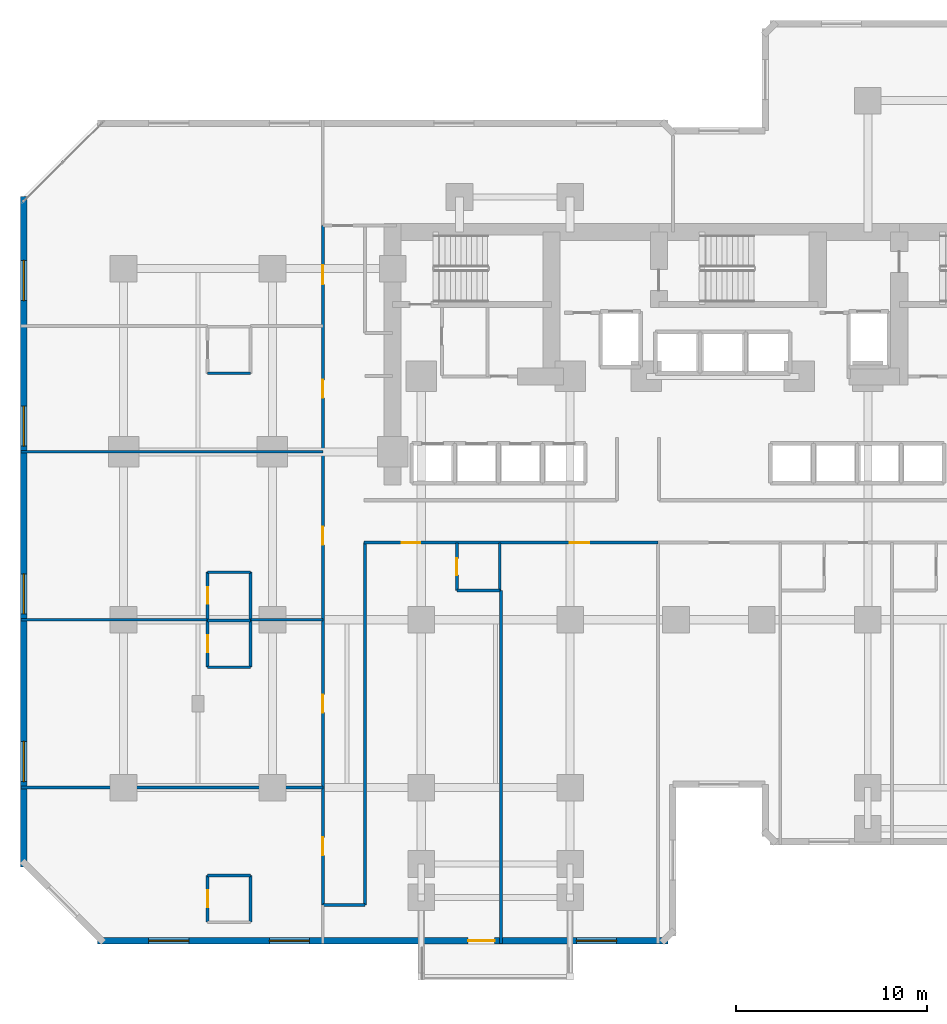
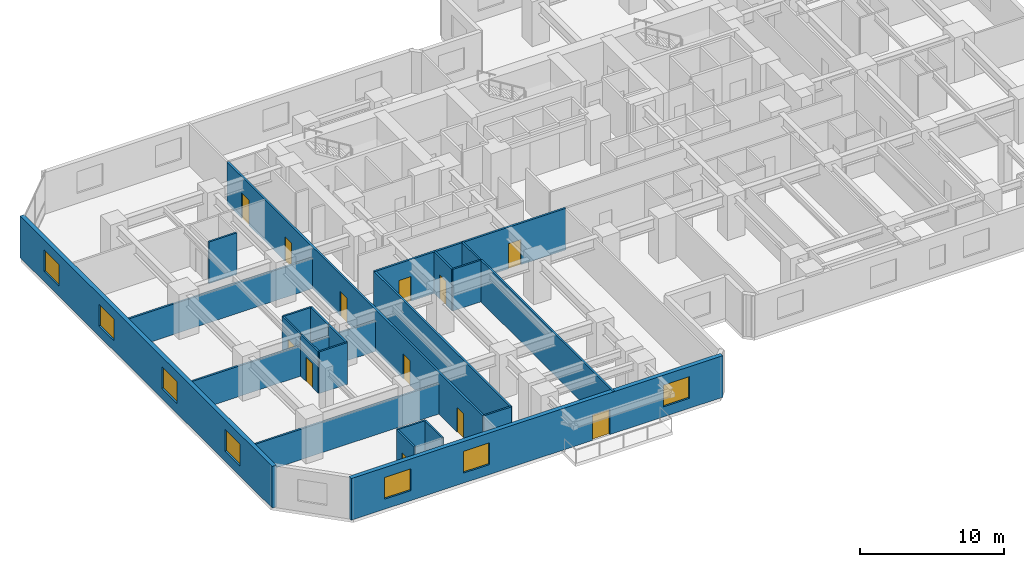
# One storey, part 5 of 12: 25 walls, 12 doors, 7 windows, 19 openings.
"""IFC4 building model written with IfcOpenShell, lengths in metres."""

import ifcopenshell
import ifcopenshell.guid

model = None  # the IFC model being written
_history = None  # IfcOwnerHistory: only IFC2X3 demands one
_inside = {}  # id of a spatial element -> (the spatial element, [elements in it])
_under = {}  # id of a project, library or spatial element -> (it, [spatial elements below it])
_declared = {}  # id of a project -> (the project, [libraries it declares])
_typed = {}  # id of a type object -> (the type object, [elements of that type])
_made_of = {}  # id of a material, layer set ... -> (it, [elements and type objects made of it])


def new_model(schema):
    """Start an empty IFC model of exactly this schema.

    Asked for "IFC4X3", IfcOpenShell would pick the latest addendum, in which some entities
    have other attributes; the version numbers below select the first issue.
    IFC2X3 requires an IfcOwnerHistory on every rooted entity: one is made here for all.
    """
    global model, _history
    if schema == "IFC4X3":
        model = ifcopenshell.file(schema_version=(4, 3, 0, 0))
    else:
        model = ifcopenshell.file(schema=schema)
    _inside.clear()
    _under.clear()
    _declared.clear()
    _typed.clear()
    _made_of.clear()
    _history = None
    if model.schema == "IFC2X3":
        org = make("IfcOrganization", Name="unknown")
        user = make(
            "IfcPersonAndOrganization",
            ThePerson=make("IfcPerson", FamilyName="unknown"),
            TheOrganization=org,
        )
        app = make(
            "IfcApplication",
            ApplicationDeveloper=org,
            Version="unknown",
            ApplicationFullName="unknown",
            ApplicationIdentifier="unknown",
        )
        _history = make(
            "IfcOwnerHistory",
            OwningUser=user,
            OwningApplication=app,
            ChangeAction="ADDED",
            CreationDate=0,
        )
    return model


def make(cls, **values):
    """One entity of the class cls with the attributes given. An attribute that is None is left unset."""
    return model.create_entity(
        cls, **{name: value for name, value in values.items() if value is not None}
    )


def rooted(cls, **values):
    """An entity with a GlobalId (a new one), such as an element, a storey or a relation."""
    return make(cls, GlobalId=ifcopenshell.guid.new(), OwnerHistory=_history, **values)


def si_unit(unit_type, name, prefix=None):
    """IfcSIUnit, for example si_unit("LENGTHUNIT", "METRE", prefix="MILLI")."""
    return make("IfcSIUnit", UnitType=unit_type, Prefix=prefix, Name=name)


def assignment(units):
    """IfcUnitAssignment: the units of a project."""
    return None if units is None else make("IfcUnitAssignment", Units=units)


def point(xyz):
    """IfcCartesianPoint."""
    return None if xyz is None else make("IfcCartesianPoint", Coordinates=xyz)


def direction(xyz):
    """IfcDirection."""
    return None if xyz is None else make("IfcDirection", DirectionRatios=xyz)


def frame(location, z_axis=None, x_axis=None):
    """IfcAxis2Placement3D, a coordinate frame: its origin and axes. An axis left out is left unset."""
    return make(
        "IfcAxis2Placement3D",
        Location=point(location),
        Axis=direction(z_axis),
        RefDirection=direction(x_axis),
    )


def frame_2d(location, x_axis=None):
    """IfcAxis2Placement2D, a coordinate frame in the plane: its origin and x axis."""
    return make(
        "IfcAxis2Placement2D", Location=point(location), RefDirection=direction(x_axis)
    )


def origin():
    """The frame at (0, 0, 0) with its axes left unset."""
    return frame((0.0, 0.0, 0.0))


def place(relative_to, where):
    """IfcLocalPlacement: puts the frame where relative to a parent placement (None: the world)."""
    return make(
        "IfcLocalPlacement", PlacementRelTo=relative_to, RelativePlacement=where
    )


def context(
    kind, dimensions, precision=None, world=None, true_north=None, identifier=None
):
    """IfcGeometricRepresentationContext, for example the 3D "Model" context."""
    return make(
        "IfcGeometricRepresentationContext",
        ContextIdentifier=identifier,
        ContextType=kind,
        CoordinateSpaceDimension=dimensions,
        Precision=precision,
        WorldCoordinateSystem=world,
        TrueNorth=true_north,
    )


def subcontext(parent, identifier, kind, view, scale=None):
    """IfcGeometricRepresentationSubContext, for example "Body" below "Model"."""
    return make(
        "IfcGeometricRepresentationSubContext",
        ContextIdentifier=identifier,
        ContextType=kind,
        ParentContext=parent,
        TargetScale=scale,
        TargetView=view,
    )


def project(units=None, contexts=None):
    """IfcProject with its units and contexts."""
    return rooted(
        "IfcProject",
        Name="project",
        RepresentationContexts=contexts,
        UnitsInContext=assignment(units),
    )


def spatial(cls, under=None, at=None, **own):
    """A site, building, storey or space (cls), placed at a placement, below another one or the project."""
    s = rooted(cls, ObjectPlacement=at, **own)
    if under is not None:
        _under.setdefault(under.id(), (under, []))[1].append(s)
    return s


def profile(cls, at=None, kind="AREA", **sizes):
    """A parametric profile (cls). Its sizes go by their IFC names, for example OverallWidth=200.0."""
    return make(cls, ProfileType=kind, Position=at, **sizes)


def rectangle(**sizes):
    """IfcRectangleProfileDef."""
    return profile("IfcRectangleProfileDef", **sizes)


def extrude(swept, where, along, depth):
    """IfcExtrudedAreaSolid: the profile swept, set in the frame where, extruded along a direction by depth."""
    return make(
        "IfcExtrudedAreaSolid",
        SweptArea=swept,
        Position=where,
        ExtrudedDirection=direction(along),
        Depth=depth,
    )


def shape(context_of_items, identifier, shape_type, items):
    """IfcShapeRepresentation: the items that make up one representation, for example the "Body"."""
    return make(
        "IfcShapeRepresentation",
        ContextOfItems=context_of_items,
        RepresentationIdentifier=identifier,
        RepresentationType=shape_type,
        Items=items,
    )


def material(Name=None, Category=None):
    """IfcMaterial."""
    return make("IfcMaterial", Name=Name, Category=Category)


def layer(
    of_material, thickness, ventilated=None, Name=None, Category=None, Priority=None
):
    """IfcMaterialLayer: one layer of a wall or slab, of a material (None: an air gap)."""
    return make(
        "IfcMaterialLayer",
        Material=of_material,
        LayerThickness=thickness,
        IsVentilated=ventilated,
        Name=Name,
        Category=Category,
        Priority=Priority,
    )


def layer_set(layers, Name=None):
    """IfcMaterialLayerSet."""
    return make("IfcMaterialLayerSet", MaterialLayers=layers, LayerSetName=Name)


def made_of(thing, what):
    """Note that an element or type object is made of a material, layer set ...; save() writes the relation."""
    if what is not None:
        _made_of.setdefault(what.id(), (what, []))[1].append(thing)
    return thing


def type_object(cls, material=None, **own):
    """A type object (cls), such as IfcWallType, which elements share."""
    return made_of(rooted(cls, **own), material)


def element(
    cls,
    number,
    at=None,
    inside=None,
    cuts=None,
    type_object=None,
    material=None,
    context=None,
    identifier="Body",
    shape_type=None,
    held_by="IfcProductDefinitionShape",
    body=None,
    shapes=None,
    **own,
):
    """One element of the class cls, such as IfcWall. Its Tag is "e" and its number.

    at: its placement. inside: the storey or other place that contains it. cuts: it is an
    opening in that element (IfcRelVoidsElement). A single representation is given by context,
    identifier, shape_type and body (its items); several are given by shapes. held_by: the class
    of the entity that holds the representations. save() writes the other relations.
    """
    e = rooted(cls, Tag="e%d" % number, ObjectPlacement=at, **own)
    if body is not None:
        shapes = [shape(context, identifier, shape_type, body)]
    if shapes is not None:
        e.Representation = make(held_by, Representations=shapes)
    if inside is not None:
        _inside.setdefault(inside.id(), (inside, []))[1].append(e)
    if cuts is not None:
        rooted(
            "IfcRelVoidsElement", RelatingBuildingElement=cuts, RelatedOpeningElement=e
        )
    if type_object is not None:
        _typed.setdefault(type_object.id(), (type_object, []))[1].append(e)
    return made_of(e, material)


def fill(opening, filler):
    """IfcRelFillsElement: the door or window that sits in an opening."""
    return rooted(
        "IfcRelFillsElement",
        RelatingOpeningElement=opening,
        RelatedBuildingElement=filler,
    )


def aggregate(whole, parts):
    """IfcRelAggregates: a whole, such as a stair, and the parts it consists of."""
    return rooted("IfcRelAggregates", RelatingObject=whole, RelatedObjects=parts)


def save(model, path):
    """Write the relations noted so far, then the file.

    IfcRelAggregates (storeys below a building ...), IfcRelContainedInSpatialStructure (elements
    in a storey), IfcRelDefinesByType, IfcRelAssociatesMaterial and IfcRelDeclares: one each for
    every whole, place, type object, material and project.
    """
    for whole, parts in _under.values():
        aggregate(whole, parts)
    for where, things in _inside.values():
        rooted(
            "IfcRelContainedInSpatialStructure",
            RelatedElements=things,
            RelatingStructure=where,
        )
    for kind, things in _typed.values():
        rooted("IfcRelDefinesByType", RelatedObjects=things, RelatingType=kind)
    for what, things in _made_of.values():
        rooted("IfcRelAssociatesMaterial", RelatedObjects=things, RelatingMaterial=what)
    for by, libraries in _declared.values():
        rooted("IfcRelDeclares", RelatingContext=by, RelatedDefinitions=libraries)
    model.write(path)


model = new_model("IFC4")

# Units and contexts
model_context = context("Model", 3, precision=1e-05, world=origin(), true_north=direction((0.0, 1.0)))
body_context = subcontext(model_context, "Body", "Model", "MODEL_VIEW")
ifc_project = project(units=[si_unit("LENGTHUNIT", "METRE"), si_unit("AREAUNIT", "SQUARE_METRE"), si_unit("VOLUMEUNIT", "CUBIC_METRE"), si_unit("PLANEANGLEUNIT", "RADIAN"), si_unit("MASSUNIT", "GRAM", prefix="KILO")], contexts=[model_context])

# Site, building, storey
site_placement = place(None, origin())
site = spatial("IfcSite", under=ifc_project, at=site_placement, CompositionType="ELEMENT")
building_placement = place(site_placement, origin())
building = spatial("IfcBuilding", under=site, at=building_placement, Name="Kestravale Grand Hotel", CompositionType="ELEMENT")
storey_placement = place(building_placement, frame((0.0, 0.0, 52.60009765625)))
storey = spatial("IfcBuildingStorey", under=building, at=storey_placement, Name="L12", CompositionType="ELEMENT", Elevation=52.60009765625)

# Wall, openings, door, windows
ifc_material_1 = material(Name="Precast concrete f'c 45 MPa", Category="concrete")
ifc_layer_1 = layer(ifc_material_1, 0.340087890625)
ifc_layer_set_1 = layer_set([ifc_layer_1], Name="EW-PREC-340")
wall_type_1 = type_object("IfcWallType", Name="EW-PREC-340", PredefinedType="SOLIDWALL", material=ifc_layer_set_1)
wall_1_placement = place(storey_placement, frame((6.429931640625, 3.169921875, 0.0), z_axis=(0.0, 0.0, 1.0), x_axis=(1.0, 0.0, 0.0)))
wall_1 = element("IfcWall", 1, at=wall_1_placement, inside=storey, type_object=wall_type_1, Name="L12 fluted precast facade wall 1", PredefinedType="SOLIDWALL", context=body_context, shape_type="SweptSolid", body=[
    extrude(rectangle(XDim=29.89013671875, YDim=0.340087890625, at=frame_2d((14.945068359375, 0.0))), origin(), (0.0, 0.0, 1.0), 3.539794921875),
])
opening_1_placement = place(wall_1_placement, frame((19.419921875, 0.0, 0.0)))
opening_1 = element("IfcOpeningElement", 2, at=opening_1_placement, cuts=wall_1, Name="Opening D-TERR-1400", PredefinedType="OPENING", context=body_context, shape_type="SweptSolid", body=[
    extrude(rectangle(XDim=1.39990234375, YDim=2.14990234375, at=frame_2d((0.699951171875, 1.074951171875))), frame((0.0, 0.179931640625, 0.0), z_axis=(0.0, -1.0, 0.0), x_axis=(1.0, 0.0, 0.0)), (0.0, 0.0, 1.0), 0.360107421875),
])
opening_2_placement = place(wall_1_placement, frame((2.686279296875, 0.0, 0.85009765625)))
opening_2 = element("IfcOpeningElement", 3, at=opening_2_placement, cuts=wall_1, Name="Opening W-GUEST-2100", PredefinedType="OPENING", context=body_context, shape_type="SweptSolid", body=[
    extrude(rectangle(XDim=2.10009765625, YDim=1.85009765625, at=frame_2d((1.050048828125, 0.925048828125))), frame((0.0, 0.179931640625, 0.0), z_axis=(0.0, -1.0, 0.0), x_axis=(1.0, 0.0, 0.0)), (0.0, 0.0, 1.0), 0.360107421875),
])
opening_3_placement = place(wall_1_placement, frame((9.0087890625, 0.0, 0.85009765625)))
opening_3 = element("IfcOpeningElement", 4, at=opening_3_placement, cuts=wall_1, Name="Opening W-GUEST-2100", PredefinedType="OPENING", context=body_context, shape_type="SweptSolid", body=[
    extrude(rectangle(XDim=2.10009765625, YDim=1.85009765625, at=frame_2d((1.050048828125, 0.925048828125))), frame((0.0, 0.179931640625, 0.0), z_axis=(0.0, -1.0, 0.0), x_axis=(1.0, 0.0, 0.0)), (0.0, 0.0, 1.0), 0.360107421875),
])
opening_4_placement = place(wall_1_placement, frame((25.103759765625, 0.0, 0.85009765625)))
opening_4 = element("IfcOpeningElement", 5, at=opening_4_placement, cuts=wall_1, Name="Opening W-GUEST-2100", PredefinedType="OPENING", context=body_context, shape_type="SweptSolid", body=[
    extrude(rectangle(XDim=2.10009765625, YDim=1.85009765625, at=frame_2d((1.050048828125, 0.925048828125))), frame((0.0, 0.179931640625, 0.0), z_axis=(0.0, -1.0, 0.0), x_axis=(1.0, 0.0, 0.0)), (0.0, 0.0, 1.0), 0.360107421875),
])
ifc_material_2 = material(Name="Insulated glazed champagne-bronze aluminium door", Category="aluminium")
door_type_1 = type_object("IfcDoorType", Name="D-TERR-1400", OperationType="NOTDEFINED", PredefinedType="DOOR", material=ifc_material_2)
door_1_placement = place(opening_1_placement, origin())
door_1 = element("IfcDoor", 6, at=door_1_placement, inside=storey, type_object=door_type_1, Name="L12 outdoor garden terrace door", OperationType="DOUBLE_DOOR_SINGLE_SWING", OverallHeight=2.14990234375, OverallWidth=1.39990234375, PredefinedType="DOOR", context=body_context, shape_type="SweptSolid", body=[
    extrude(rectangle(XDim=1.39990234375, YDim=2.14990234375, at=frame_2d((0.699951171875, 1.074951171875))), frame((0.0, 0.02490234375, 0.0), z_axis=(0.0, -1.0, 0.0), x_axis=(1.0, 0.0, 0.0)), (0.0, 0.0, 1.0), 0.050048828125),
])
fill(opening_1, door_1)
ifc_material_3 = material(Name="Insulated low-E double glazing in aluminium frame", Category="aluminium")
window_type = type_object("IfcWindowType", Name="W-GUEST-2100", PartitioningType="DOUBLE_PANEL_VERTICAL", PredefinedType="WINDOW", material=ifc_material_3)
window_1_placement = place(opening_2_placement, origin())
window_1 = element("IfcWindow", 7, at=window_1_placement, inside=storey, type_object=window_type, Name="L12 exterior window 1.1", OverallHeight=1.85009765625, OverallWidth=2.10009765625, PartitioningType="SINGLE_PANEL", PredefinedType="WINDOW", context=body_context, shape_type="SweptSolid", body=[
    extrude(rectangle(XDim=2.10009765625, YDim=1.85009765625, at=frame_2d((1.050048828125, 0.925048828125))), frame((0.0, 0.030029296875, 0.0), z_axis=(0.0, -1.0, 0.0), x_axis=(1.0, 0.0, 0.0)), (0.0, 0.0, 1.0), 0.06005859375),
])
fill(opening_2, window_1)
window_2_placement = place(opening_3_placement, origin())
window_2 = element("IfcWindow", 8, at=window_2_placement, inside=storey, type_object=window_type, Name="L12 exterior window 1.2", OverallHeight=1.85009765625, OverallWidth=2.10009765625, PartitioningType="SINGLE_PANEL", PredefinedType="WINDOW", context=body_context, shape_type="SweptSolid", body=[
    extrude(rectangle(XDim=2.10009765625, YDim=1.85009765625, at=frame_2d((1.050048828125, 0.925048828125))), frame((0.0, 0.030029296875, 0.0), z_axis=(0.0, -1.0, 0.0), x_axis=(1.0, 0.0, 0.0)), (0.0, 0.0, 1.0), 0.06005859375),
])
fill(opening_3, window_2)
window_3_placement = place(opening_4_placement, origin())
window_3 = element("IfcWindow", 9, at=window_3_placement, inside=storey, type_object=window_type, Name="L12 exterior window 1.3", OverallHeight=1.85009765625, OverallWidth=2.10009765625, PartitioningType="SINGLE_PANEL", PredefinedType="WINDOW", context=body_context, shape_type="SweptSolid", body=[
    extrude(rectangle(XDim=2.10009765625, YDim=1.85009765625, at=frame_2d((1.050048828125, 0.925048828125))), frame((0.0, 0.030029296875, 0.0), z_axis=(0.0, -1.0, 0.0), x_axis=(1.0, 0.0, 0.0)), (0.0, 0.0, 1.0), 0.06005859375),
])
fill(opening_4, window_3)

# Wall, openings, windows
wall_2_placement = place(storey_placement, frame((2.570068359375, 42.169921875, 0.0), z_axis=(0.0, 0.0, 1.0), x_axis=(0.0, -1.0, 0.0)))
wall_2 = element("IfcWall", 10, at=wall_2_placement, inside=storey, type_object=wall_type_1, Name="L12 fluted precast facade wall 19", PredefinedType="SOLIDWALL", context=body_context, shape_type="SweptSolid", body=[
    extrude(rectangle(XDim=35.139892578125, YDim=0.340087890625, at=frame_2d((17.56982421875, 0.0))), origin(), (0.0, 0.0, 1.0), 3.539794921875),
])
opening_5_placement = place(wall_2_placement, frame((3.342529296875, 0.0, 0.85009765625)))
opening_5 = element("IfcOpeningElement", 11, at=opening_5_placement, cuts=wall_2, Name="Opening W-GUEST-2100", PredefinedType="OPENING", context=body_context, shape_type="SweptSolid", body=[
    extrude(rectangle(XDim=2.10009765625, YDim=1.85009765625, at=frame_2d((1.050048828125, 0.925048828125))), frame((0.0, 0.179931640625, 0.0), z_axis=(0.0, -1.0, 0.0), x_axis=(1.0, 0.0, 0.0)), (0.0, 0.0, 1.0), 0.360107421875),
])
opening_6_placement = place(wall_2_placement, frame((10.9775390625, 0.0, 0.85009765625)))
opening_6 = element("IfcOpeningElement", 12, at=opening_6_placement, cuts=wall_2, Name="Opening W-GUEST-2100", PredefinedType="OPENING", context=body_context, shape_type="SweptSolid", body=[
    extrude(rectangle(XDim=2.10009765625, YDim=1.85009765625, at=frame_2d((1.050048828125, 0.925048828125))), frame((0.0, 0.179931640625, 0.0), z_axis=(0.0, -1.0, 0.0), x_axis=(1.0, 0.0, 0.0)), (0.0, 0.0, 1.0), 0.360107421875),
])
opening_7_placement = place(wall_2_placement, frame((19.762451171875, 0.0, 0.85009765625)))
opening_7 = element("IfcOpeningElement", 13, at=opening_7_placement, cuts=wall_2, Name="Opening W-GUEST-2100", PredefinedType="OPENING", context=body_context, shape_type="SweptSolid", body=[
    extrude(rectangle(XDim=2.10009765625, YDim=1.85009765625, at=frame_2d((1.050048828125, 0.925048828125))), frame((0.0, 0.179931640625, 0.0), z_axis=(0.0, -1.0, 0.0), x_axis=(1.0, 0.0, 0.0)), (0.0, 0.0, 1.0), 0.360107421875),
])
opening_8_placement = place(wall_2_placement, frame((28.547607421875, 0.0, 0.85009765625)))
opening_8 = element("IfcOpeningElement", 14, at=opening_8_placement, cuts=wall_2, Name="Opening W-GUEST-2100", PredefinedType="OPENING", context=body_context, shape_type="SweptSolid", body=[
    extrude(rectangle(XDim=2.10009765625, YDim=1.85009765625, at=frame_2d((1.050048828125, 0.925048828125))), frame((0.0, 0.179931640625, 0.0), z_axis=(0.0, -1.0, 0.0), x_axis=(1.0, 0.0, 0.0)), (0.0, 0.0, 1.0), 0.360107421875),
])
window_4_placement = place(opening_5_placement, origin())
window_4 = element("IfcWindow", 15, at=window_4_placement, inside=storey, type_object=window_type, Name="L12 exterior window 19.1", OverallHeight=1.85009765625, OverallWidth=2.10009765625, PartitioningType="SINGLE_PANEL", PredefinedType="WINDOW", context=body_context, shape_type="SweptSolid", body=[
    extrude(rectangle(XDim=2.10009765625, YDim=1.85009765625, at=frame_2d((1.050048828125, 0.925048828125))), frame((0.0, 0.030029296875, 0.0), z_axis=(0.0, -1.0, 0.0), x_axis=(1.0, 0.0, 0.0)), (0.0, 0.0, 1.0), 0.06005859375),
])
fill(opening_5, window_4)
window_5_placement = place(opening_6_placement, origin())
window_5 = element("IfcWindow", 16, at=window_5_placement, inside=storey, type_object=window_type, Name="L12 exterior window 19.2", OverallHeight=1.85009765625, OverallWidth=2.10009765625, PartitioningType="SINGLE_PANEL", PredefinedType="WINDOW", context=body_context, shape_type="SweptSolid", body=[
    extrude(rectangle(XDim=2.10009765625, YDim=1.85009765625, at=frame_2d((1.050048828125, 0.925048828125))), frame((0.0, 0.030029296875, 0.0), z_axis=(0.0, -1.0, 0.0), x_axis=(1.0, 0.0, 0.0)), (0.0, 0.0, 1.0), 0.06005859375),
])
fill(opening_6, window_5)
window_6_placement = place(opening_7_placement, origin())
window_6 = element("IfcWindow", 17, at=window_6_placement, inside=storey, type_object=window_type, Name="L12 exterior window 19.3", OverallHeight=1.85009765625, OverallWidth=2.10009765625, PartitioningType="SINGLE_PANEL", PredefinedType="WINDOW", context=body_context, shape_type="SweptSolid", body=[
    extrude(rectangle(XDim=2.10009765625, YDim=1.85009765625, at=frame_2d((1.050048828125, 0.925048828125))), frame((0.0, 0.030029296875, 0.0), z_axis=(0.0, -1.0, 0.0), x_axis=(1.0, 0.0, 0.0)), (0.0, 0.0, 1.0), 0.06005859375),
])
fill(opening_7, window_6)
window_7_placement = place(opening_8_placement, origin())
window_7 = element("IfcWindow", 18, at=window_7_placement, inside=storey, type_object=window_type, Name="L12 exterior window 19.4", OverallHeight=1.85009765625, OverallWidth=2.10009765625, PartitioningType="SINGLE_PANEL", PredefinedType="WINDOW", context=body_context, shape_type="SweptSolid", body=[
    extrude(rectangle(XDim=2.10009765625, YDim=1.85009765625, at=frame_2d((1.050048828125, 0.925048828125))), frame((0.0, 0.030029296875, 0.0), z_axis=(0.0, -1.0, 0.0), x_axis=(1.0, 0.0, 0.0)), (0.0, 0.0, 1.0), 0.06005859375),
])
fill(opening_8, window_7)

# Wall, openings, doors
ifc_material_4 = material(Name="Acoustic fire-rated gypsum board partition", Category="other")
ifc_layer_2 = layer(ifc_material_4, 0.159912109375)
ifc_layer_set_2 = layer_set([ifc_layer_2], Name="IW-CORR-160")
wall_type_2 = type_object("IfcWallType", Name="IW-CORR-160", PredefinedType="PARTITIONING", material=ifc_layer_set_2)
wall_3_placement = place(storey_placement, frame((20.39990234375, 24.0400390625, 0.0), z_axis=(0.0, 0.0, 1.0), x_axis=(1.0, 0.0, 0.0)))
wall_3 = element("IfcWall", 19, at=wall_3_placement, inside=storey, type_object=wall_type_2, Name="W-L12-CW-S", PredefinedType="PARTITIONING", context=body_context, shape_type="SweptSolid", body=[
    extrude(rectangle(XDim=15.400146484375, YDim=0.159912109375, at=frame_2d((7.7001953125, 0.0))), origin(), (0.0, 0.0, 1.0), 3.539794921875),
])
opening_9_placement = place(wall_3_placement, frame((1.989990234375, 0.0, 0.0)))
opening_9 = element("IfcOpeningElement", 20, at=opening_9_placement, cuts=wall_3, Name="Opening D-GUEST-950", PredefinedType="OPENING", context=body_context, shape_type="SweptSolid", body=[
    extrude(rectangle(XDim=0.949951171875, YDim=2.10009765625, at=frame_2d((0.47509765625, 1.050048828125))), frame((0.0, 0.08984375, 0.0), z_axis=(0.0, -1.0, 0.0), x_axis=(1.0, 0.0, 0.0)), (0.0, 0.0, 1.0), 0.179931640625),
])
opening_10_placement = place(wall_3_placement, frame((10.7900390625, 0.0, 0.0)))
opening_10 = element("IfcOpeningElement", 21, at=opening_10_placement, cuts=wall_3, Name="Opening D-GUEST-1000", PredefinedType="OPENING", context=body_context, shape_type="SweptSolid", body=[
    extrude(rectangle(XDim=1.0, YDim=2.14990234375, at=frame_2d((0.5, 1.074951171875))), frame((0.0, 0.08984375, 0.0), z_axis=(0.0, -1.0, 0.0), x_axis=(1.0, 0.0, 0.0)), (0.0, 0.0, 1.0), 0.179931640625),
])
ifc_material_5 = material(Name="Accessible walnut veneer hotel entrance fire door", Category="wood")
door_type_2 = type_object("IfcDoorType", Name="D-GUEST-1000", OperationType="NOTDEFINED", PredefinedType="DOOR", material=ifc_material_5)
door_2_placement = place(opening_10_placement, origin())
door_2 = element("IfcDoor", 22, at=door_2_placement, inside=storey, type_object=door_type_2, Name="D-L12-AMW", OperationType="SINGLE_SWING_LEFT", OverallHeight=2.14990234375, OverallWidth=1.0, PredefinedType="DOOR", context=body_context, shape_type="SweptSolid", body=[
    extrude(rectangle(XDim=1.0, YDim=2.14990234375, at=frame_2d((0.5, 1.074951171875))), frame((0.0, 0.02490234375, 0.0), z_axis=(0.0, -1.0, 0.0), x_axis=(1.0, 0.0, 0.0)), (0.0, 0.0, 1.0), 0.050048828125),
])
fill(opening_10, door_2)
ifc_material_6 = material(Name="Walnut veneer hotel guestroom entrance fire door", Category="wood")
door_type_3 = type_object("IfcDoorType", Name="D-GUEST-950", OperationType="NOTDEFINED", PredefinedType="DOOR", material=ifc_material_6)
door_3_placement = place(opening_9_placement, origin())
door_3 = element("IfcDoor", 23, at=door_3_placement, inside=storey, type_object=door_type_3, Name="D-L12-U01-ENT", OperationType="SINGLE_SWING_RIGHT", OverallHeight=2.10009765625, OverallWidth=0.949951171875, PredefinedType="DOOR", context=body_context, shape_type="SweptSolid", body=[
    extrude(rectangle(XDim=0.949951171875, YDim=2.10009765625, at=frame_2d((0.47509765625, 1.050048828125))), frame((0.0, 0.02490234375, 0.0), z_axis=(0.0, -1.0, 0.0), x_axis=(1.0, 0.0, 0.0)), (0.0, 0.0, 1.0), 0.050048828125),
])
fill(opening_9, door_3)

wall_4_placement = place(storey_placement, frame((18.239990234375, 5.050048828125, 0.0), z_axis=(0.0, 0.0, 1.0), x_axis=(0.0, 1.0, 0.0)))
wall_4 = element("IfcWall", 24, at=wall_4_placement, inside=storey, type_object=wall_type_2, Name="W-L12-SW-W", PredefinedType="PARTITIONING", context=body_context, shape_type="SweptSolid", body=[
    extrude(rectangle(XDim=35.599853515625, YDim=0.159912109375, at=frame_2d((17.7998046875, 0.0))), origin(), (0.0, 0.0, 1.0), 3.539794921875),
])
opening_11_placement = place(wall_4_placement, frame((2.60009765625, 0.0, 0.0)))
opening_11 = element("IfcOpeningElement", 25, at=opening_11_placement, cuts=wall_4, Name="Opening D-GUEST-950", PredefinedType="OPENING", context=body_context, shape_type="SweptSolid", body=[
    extrude(rectangle(XDim=0.949951171875, YDim=2.10009765625, at=frame_2d((0.47509765625, 1.050048828125))), frame((0.0, 0.08984375, 0.0), z_axis=(0.0, -1.0, 0.0), x_axis=(1.0, 0.0, 0.0)), (0.0, 0.0, 1.0), 0.179931640625),
])
opening_12_placement = place(wall_4_placement, frame((10.074951171875, 0.0, 0.0)))
opening_12 = element("IfcOpeningElement", 26, at=opening_12_placement, cuts=wall_4, Name="Opening D-GUEST-950", PredefinedType="OPENING", context=body_context, shape_type="SweptSolid", body=[
    extrude(rectangle(XDim=0.949951171875, YDim=2.10009765625, at=frame_2d((0.47509765625, 1.050048828125))), frame((0.0, 0.08984375, 0.0), z_axis=(0.0, -1.0, 0.0), x_axis=(1.0, 0.0, 0.0)), (0.0, 0.0, 1.0), 0.179931640625),
])
opening_13_placement = place(wall_4_placement, frame((18.875, 0.0, 0.0)))
opening_13 = element("IfcOpeningElement", 27, at=opening_13_placement, cuts=wall_4, Name="Opening D-GUEST-950", PredefinedType="OPENING", context=body_context, shape_type="SweptSolid", body=[
    extrude(rectangle(XDim=0.949951171875, YDim=2.10009765625, at=frame_2d((0.47509765625, 1.050048828125))), frame((0.0, 0.08984375, 0.0), z_axis=(0.0, -1.0, 0.0), x_axis=(1.0, 0.0, 0.0)), (0.0, 0.0, 1.0), 0.179931640625),
])
opening_14_placement = place(wall_4_placement, frame((26.574951171875, 0.0, 0.0)))
opening_14 = element("IfcOpeningElement", 28, at=opening_14_placement, cuts=wall_4, Name="Opening D-GUEST-950", PredefinedType="OPENING", context=body_context, shape_type="SweptSolid", body=[
    extrude(rectangle(XDim=0.949951171875, YDim=2.10009765625, at=frame_2d((0.47509765625, 1.050048828125))), frame((0.0, 0.08984375, 0.0), z_axis=(0.0, -1.0, 0.0), x_axis=(1.0, 0.0, 0.0)), (0.0, 0.0, 1.0), 0.179931640625),
])
opening_15_placement = place(wall_4_placement, frame((32.530029296875, 0.0, 0.0)))
opening_15 = element("IfcOpeningElement", 29, at=opening_15_placement, cuts=wall_4, Name="Opening D-GUEST-1000", PredefinedType="OPENING", context=body_context, shape_type="SweptSolid", body=[
    extrude(rectangle(XDim=1.0, YDim=2.14990234375, at=frame_2d((0.5, 1.074951171875))), frame((0.0, 0.08984375, 0.0), z_axis=(0.0, -1.0, 0.0), x_axis=(1.0, 0.0, 0.0)), (0.0, 0.0, 1.0), 0.179931640625),
])
door_4_placement = place(opening_15_placement, origin())
door_4 = element("IfcDoor", 30, at=door_4_placement, inside=storey, type_object=door_type_2, Name="D-L12-AMWW", OperationType="SINGLE_SWING_LEFT", OverallHeight=2.14990234375, OverallWidth=1.0, PredefinedType="DOOR", context=body_context, shape_type="SweptSolid", body=[
    extrude(rectangle(XDim=1.0, YDim=2.14990234375, at=frame_2d((0.5, 1.074951171875))), frame((0.0, 0.02490234375, 0.0), z_axis=(0.0, -1.0, 0.0), x_axis=(1.0, 0.0, 0.0)), (0.0, 0.0, 1.0), 0.050048828125),
])
fill(opening_15, door_4)
door_5_placement = place(opening_11_placement, origin())
door_5 = element("IfcDoor", 31, at=door_5_placement, inside=storey, type_object=door_type_3, Name="D-L12-U05-ENT", OperationType="SINGLE_SWING_RIGHT", OverallHeight=2.10009765625, OverallWidth=0.949951171875, PredefinedType="DOOR", context=body_context, shape_type="SweptSolid", body=[
    extrude(rectangle(XDim=0.949951171875, YDim=2.10009765625, at=frame_2d((0.47509765625, 1.050048828125))), frame((0.0, 0.02490234375, 0.0), z_axis=(0.0, -1.0, 0.0), x_axis=(1.0, 0.0, 0.0)), (0.0, 0.0, 1.0), 0.050048828125),
])
fill(opening_11, door_5)
door_6_placement = place(opening_12_placement, origin())
door_6 = element("IfcDoor", 32, at=door_6_placement, inside=storey, type_object=door_type_3, Name="D-L12-U06-ENT", OperationType="SINGLE_SWING_RIGHT", OverallHeight=2.10009765625, OverallWidth=0.949951171875, PredefinedType="DOOR", context=body_context, shape_type="SweptSolid", body=[
    extrude(rectangle(XDim=0.949951171875, YDim=2.10009765625, at=frame_2d((0.47509765625, 1.050048828125))), frame((0.0, 0.02490234375, 0.0), z_axis=(0.0, -1.0, 0.0), x_axis=(1.0, 0.0, 0.0)), (0.0, 0.0, 1.0), 0.050048828125),
])
fill(opening_12, door_6)
door_7_placement = place(opening_13_placement, origin())
door_7 = element("IfcDoor", 33, at=door_7_placement, inside=storey, type_object=door_type_3, Name="D-L12-U07-ENT", OperationType="SINGLE_SWING_RIGHT", OverallHeight=2.10009765625, OverallWidth=0.949951171875, PredefinedType="DOOR", context=body_context, shape_type="SweptSolid", body=[
    extrude(rectangle(XDim=0.949951171875, YDim=2.10009765625, at=frame_2d((0.47509765625, 1.050048828125))), frame((0.0, 0.02490234375, 0.0), z_axis=(0.0, -1.0, 0.0), x_axis=(1.0, 0.0, 0.0)), (0.0, 0.0, 1.0), 0.050048828125),
])
fill(opening_13, door_7)
door_8_placement = place(opening_14_placement, origin())
door_8 = element("IfcDoor", 34, at=door_8_placement, inside=storey, type_object=door_type_3, Name="D-L12-U08-ENT", OperationType="SINGLE_SWING_RIGHT", OverallHeight=2.10009765625, OverallWidth=0.949951171875, PredefinedType="DOOR", context=body_context, shape_type="SweptSolid", body=[
    extrude(rectangle(XDim=0.949951171875, YDim=2.10009765625, at=frame_2d((0.47509765625, 1.050048828125))), frame((0.0, 0.02490234375, 0.0), z_axis=(0.0, -1.0, 0.0), x_axis=(1.0, 0.0, 0.0)), (0.0, 0.0, 1.0), 0.050048828125),
])
fill(opening_14, door_8)

# Wall
wall_5_placement = place(storey_placement, frame((20.4599609375, 5.050048828125, 0.0), z_axis=(0.0, 0.0, 1.0), x_axis=(0.0, 1.0, 0.0)))
element("IfcWall", 35, at=wall_5_placement, inside=storey, type_object=wall_type_2, Name="W-L12-SW-E", PredefinedType="PARTITIONING", context=body_context, shape_type="SweptSolid", body=[
    extrude(rectangle(XDim=18.989990234375, YDim=0.159912109375, at=frame_2d((9.4951171875, 0.0))), origin(), (0.0, 0.0, 1.0), 3.539794921875),
])

# Wall, opening, door
ifc_material_7 = material(Name="Moisture-resistant tile-backer plumbing chase wall", Category="other")
ifc_layer_3 = layer(ifc_material_7, 0.139892578125)
ifc_layer_set_3 = layer_set([ifc_layer_3], Name="IW-PLB-140")
wall_type_3 = type_object("IfcWallType", Name="IW-PLB-140", PredefinedType="PLUMBINGWALL", material=ifc_layer_set_3)
wall_6_placement = place(storey_placement, frame((25.27001953125, 21.530029296875, 0.0), z_axis=(0.0, 0.0, 1.0), x_axis=(0.0, 1.0, 0.0)))
wall_6 = element("IfcWall", 36, at=wall_6_placement, inside=storey, type_object=wall_type_3, Name="W-L12-U01-BW", PredefinedType="PLUMBINGWALL", context=body_context, shape_type="SweptSolid", body=[
    extrude(rectangle(XDim=2.489990234375, YDim=0.139892578125, at=frame_2d((1.2451171875, 0.0))), origin(), (0.0, 0.0, 1.0), 3.539794921875),
])
opening_16_placement = place(wall_6_placement, frame((0.804931640625, 0.0, 0.0)))
opening_16 = element("IfcOpeningElement", 37, at=opening_16_placement, cuts=wall_6, Name="Opening D-BATH-880", PredefinedType="OPENING", context=body_context, shape_type="SweptSolid", body=[
    extrude(rectangle(XDim=0.8798828125, YDim=2.050048828125, at=frame_2d((0.43994140625, 1.02490234375))), frame((0.0, 0.079833984375, 0.0), z_axis=(0.0, -1.0, 0.0), x_axis=(1.0, 0.0, 0.0)), (0.0, 0.0, 1.0), 0.159912109375),
])
ifc_material_8 = material(Name="Moisture-sealed walnut en-suite bathroom door", Category="wood")
door_type_4 = type_object("IfcDoorType", Name="D-BATH-880", OperationType="NOTDEFINED", PredefinedType="DOOR", material=ifc_material_8)
door_9_placement = place(opening_16_placement, origin())
door_9 = element("IfcDoor", 38, at=door_9_placement, inside=storey, type_object=door_type_4, Name="D-L12-U01-BATH", OperationType="SINGLE_SWING_LEFT", OverallHeight=2.050048828125, OverallWidth=0.8798828125, PredefinedType="DOOR", context=body_context, shape_type="SweptSolid", body=[
    extrude(rectangle(XDim=0.8798828125, YDim=2.050048828125, at=frame_2d((0.43994140625, 1.02490234375))), frame((0.0, 0.02490234375, 0.0), z_axis=(0.0, -1.0, 0.0), x_axis=(1.0, 0.0, 0.0)), (0.0, 0.0, 1.0), 0.050048828125),
])
fill(opening_16, door_9)

# Walls
wall_7_placement = place(storey_placement, frame((27.52001953125, 21.530029296875, 0.0), z_axis=(0.0, 0.0, 1.0), x_axis=(0.0, 1.0, 0.0)))
element("IfcWall", 39, at=wall_7_placement, inside=storey, type_object=wall_type_3, Name="W-L12-U01-BE", PredefinedType="PLUMBINGWALL", context=body_context, shape_type="SweptSolid", body=[
    extrude(rectangle(XDim=2.489990234375, YDim=0.139892578125, at=frame_2d((1.2451171875, 0.0))), origin(), (0.0, 0.0, 1.0), 3.539794921875),
])
wall_8_placement = place(storey_placement, frame((25.27001953125, 21.530029296875, 0.0), z_axis=(0.0, 0.0, 1.0), x_axis=(1.0, 0.0, 0.0)))
element("IfcWall", 40, at=wall_8_placement, inside=storey, type_object=wall_type_3, Name="W-L12-U01-BS", PredefinedType="PLUMBINGWALL", context=body_context, shape_type="SweptSolid", body=[
    extrude(rectangle(XDim=2.25, YDim=0.139892578125, at=frame_2d((1.125, 0.0))), origin(), (0.0, 0.0, 1.0), 3.539794921875),
])

# Wall, opening, door
wall_9_placement = place(storey_placement, frame((12.199951171875, 4.14990234375, 0.0), z_axis=(0.0, 0.0, 1.0), x_axis=(0.0, 1.0, 0.0)))
wall_9 = element("IfcWall", 41, at=wall_9_placement, inside=storey, type_object=wall_type_3, Name="W-L12-U05-BW", PredefinedType="PLUMBINGWALL", context=body_context, shape_type="SweptSolid", body=[
    extrude(rectangle(XDim=2.4501953125, YDim=0.139892578125, at=frame_2d((1.22509765625, 0.0))), origin(), (0.0, 0.0, 1.0), 3.539794921875),
])
opening_17_placement = place(wall_9_placement, frame((0.784912109375, 0.0, 0.0)))
opening_17 = element("IfcOpeningElement", 42, at=opening_17_placement, cuts=wall_9, Name="Opening D-BATH-880", PredefinedType="OPENING", context=body_context, shape_type="SweptSolid", body=[
    extrude(rectangle(XDim=0.8798828125, YDim=2.050048828125, at=frame_2d((0.43994140625, 1.02490234375))), frame((0.0, 0.079833984375, 0.0), z_axis=(0.0, -1.0, 0.0), x_axis=(1.0, 0.0, 0.0)), (0.0, 0.0, 1.0), 0.159912109375),
])
door_10_placement = place(opening_17_placement, origin())
door_10 = element("IfcDoor", 43, at=door_10_placement, inside=storey, type_object=door_type_4, Name="D-L12-U05-BATH", OperationType="SINGLE_SWING_LEFT", OverallHeight=2.050048828125, OverallWidth=0.8798828125, PredefinedType="DOOR", context=body_context, shape_type="SweptSolid", body=[
    extrude(rectangle(XDim=0.8798828125, YDim=2.050048828125, at=frame_2d((0.43994140625, 1.02490234375))), frame((0.0, 0.02490234375, 0.0), z_axis=(0.0, -1.0, 0.0), x_axis=(1.0, 0.0, 0.0)), (0.0, 0.0, 1.0), 0.050048828125),
])
fill(opening_17, door_10)

# Walls
wall_10_placement = place(storey_placement, frame((14.449951171875, 4.14990234375, 0.0), z_axis=(0.0, 0.0, 1.0), x_axis=(0.0, 1.0, 0.0)))
element("IfcWall", 44, at=wall_10_placement, inside=storey, type_object=wall_type_3, Name="W-L12-U05-BE", PredefinedType="PLUMBINGWALL", context=body_context, shape_type="SweptSolid", body=[
    extrude(rectangle(XDim=2.4501953125, YDim=0.139892578125, at=frame_2d((1.22509765625, 0.0))), origin(), (0.0, 0.0, 1.0), 3.539794921875),
])
wall_11_placement = place(storey_placement, frame((12.199951171875, 6.60009765625, 0.0), z_axis=(0.0, 0.0, 1.0), x_axis=(1.0, 0.0, 0.0)))
element("IfcWall", 45, at=wall_11_placement, inside=storey, type_object=wall_type_3, Name="W-L12-U05-BN", PredefinedType="PLUMBINGWALL", context=body_context, shape_type="SweptSolid", body=[
    extrude(rectangle(XDim=2.25, YDim=0.139892578125, at=frame_2d((1.125, 0.0))), origin(), (0.0, 0.0, 1.0), 3.539794921875),
])

# Wall, opening, door
wall_12_placement = place(storey_placement, frame((12.199951171875, 17.510009765625, 0.0), z_axis=(0.0, 0.0, 1.0), x_axis=(0.0, 1.0, 0.0)))
wall_12 = element("IfcWall", 46, at=wall_12_placement, inside=storey, type_object=wall_type_3, Name="W-L12-U06-BW", PredefinedType="PLUMBINGWALL", context=body_context, shape_type="SweptSolid", body=[
    extrude(rectangle(XDim=2.449951171875, YDim=0.139892578125, at=frame_2d((1.22509765625, 0.0))), origin(), (0.0, 0.0, 1.0), 3.539794921875),
])
opening_18_placement = place(wall_12_placement, frame((0.784912109375, 0.0, 0.0)))
opening_18 = element("IfcOpeningElement", 47, at=opening_18_placement, cuts=wall_12, Name="Opening D-BATH-880", PredefinedType="OPENING", context=body_context, shape_type="SweptSolid", body=[
    extrude(rectangle(XDim=0.8798828125, YDim=2.050048828125, at=frame_2d((0.43994140625, 1.02490234375))), frame((0.0, 0.079833984375, 0.0), z_axis=(0.0, -1.0, 0.0), x_axis=(1.0, 0.0, 0.0)), (0.0, 0.0, 1.0), 0.159912109375),
])
door_11_placement = place(opening_18_placement, origin())
door_11 = element("IfcDoor", 48, at=door_11_placement, inside=storey, type_object=door_type_4, Name="D-L12-U06-BATH", OperationType="SINGLE_SWING_LEFT", OverallHeight=2.050048828125, OverallWidth=0.8798828125, PredefinedType="DOOR", context=body_context, shape_type="SweptSolid", body=[
    extrude(rectangle(XDim=0.8798828125, YDim=2.050048828125, at=frame_2d((0.43994140625, 1.02490234375))), frame((0.0, 0.02490234375, 0.0), z_axis=(0.0, -1.0, 0.0), x_axis=(1.0, 0.0, 0.0)), (0.0, 0.0, 1.0), 0.050048828125),
])
fill(opening_18, door_11)

# Walls
wall_13_placement = place(storey_placement, frame((14.449951171875, 17.510009765625, 0.0), z_axis=(0.0, 0.0, 1.0), x_axis=(0.0, 1.0, 0.0)))
element("IfcWall", 49, at=wall_13_placement, inside=storey, type_object=wall_type_3, Name="W-L12-U06-BE", PredefinedType="PLUMBINGWALL", context=body_context, shape_type="SweptSolid", body=[
    extrude(rectangle(XDim=2.449951171875, YDim=0.139892578125, at=frame_2d((1.22509765625, 0.0))), origin(), (0.0, 0.0, 1.0), 3.539794921875),
])
wall_14_placement = place(storey_placement, frame((12.199951171875, 17.510009765625, 0.0), z_axis=(0.0, 0.0, 1.0), x_axis=(1.0, 0.0, 0.0)))
element("IfcWall", 50, at=wall_14_placement, inside=storey, type_object=wall_type_3, Name="W-L12-U06-BS", PredefinedType="PLUMBINGWALL", context=body_context, shape_type="SweptSolid", body=[
    extrude(rectangle(XDim=2.25, YDim=0.139892578125, at=frame_2d((1.125, 0.0))), origin(), (0.0, 0.0, 1.0), 3.539794921875),
])
wall_15_placement = place(storey_placement, frame((12.199951171875, 19.9599609375, 0.0), z_axis=(0.0, 0.0, 1.0), x_axis=(1.0, 0.0, 0.0)))
element("IfcWall", 51, at=wall_15_placement, inside=storey, type_object=wall_type_3, Name="W-L12-U06-BN", PredefinedType="PLUMBINGWALL", context=body_context, shape_type="SweptSolid", body=[
    extrude(rectangle(XDim=2.25, YDim=0.139892578125, at=frame_2d((1.125, 0.0))), origin(), (0.0, 0.0, 1.0), 2.593017578125),
])

# Wall, opening, door
wall_16_placement = place(storey_placement, frame((12.199951171875, 20.0400390625, 0.0), z_axis=(0.0, 0.0, 1.0), x_axis=(0.0, 1.0, 0.0)))
wall_16 = element("IfcWall", 52, at=wall_16_placement, inside=storey, type_object=wall_type_3, Name="W-L12-U07-BW", PredefinedType="PLUMBINGWALL", context=body_context, shape_type="SweptSolid", body=[
    extrude(rectangle(XDim=2.449951171875, YDim=0.139892578125, at=frame_2d((1.22509765625, 0.0))), origin(), (0.0, 0.0, 1.0), 3.539794921875),
])
opening_19_placement = place(wall_16_placement, frame((0.784912109375, 0.0, 0.0)))
opening_19 = element("IfcOpeningElement", 53, at=opening_19_placement, cuts=wall_16, Name="Opening D-BATH-880", PredefinedType="OPENING", context=body_context, shape_type="SweptSolid", body=[
    extrude(rectangle(XDim=0.8798828125, YDim=2.050048828125, at=frame_2d((0.43994140625, 1.02490234375))), frame((0.0, 0.079833984375, 0.0), z_axis=(0.0, -1.0, 0.0), x_axis=(1.0, 0.0, 0.0)), (0.0, 0.0, 1.0), 0.159912109375),
])
door_12_placement = place(opening_19_placement, origin())
door_12 = element("IfcDoor", 54, at=door_12_placement, inside=storey, type_object=door_type_4, Name="D-L12-U07-BATH", OperationType="SINGLE_SWING_LEFT", OverallHeight=2.050048828125, OverallWidth=0.8798828125, PredefinedType="DOOR", context=body_context, shape_type="SweptSolid", body=[
    extrude(rectangle(XDim=0.8798828125, YDim=2.050048828125, at=frame_2d((0.43994140625, 1.02490234375))), frame((0.0, 0.02490234375, 0.0), z_axis=(0.0, -1.0, 0.0), x_axis=(1.0, 0.0, 0.0)), (0.0, 0.0, 1.0), 0.050048828125),
])
fill(opening_19, door_12)

# Walls
wall_17_placement = place(storey_placement, frame((14.449951171875, 20.0400390625, 0.0), z_axis=(0.0, 0.0, 1.0), x_axis=(0.0, 1.0, 0.0)))
element("IfcWall", 55, at=wall_17_placement, inside=storey, type_object=wall_type_3, Name="W-L12-U07-BE", PredefinedType="PLUMBINGWALL", context=body_context, shape_type="SweptSolid", body=[
    extrude(rectangle(XDim=2.449951171875, YDim=0.139892578125, at=frame_2d((1.22509765625, 0.0))), origin(), (0.0, 0.0, 1.0), 3.539794921875),
])
for number, where, z_axis, x_axis, name in (
    (56, (12.199951171875, 22.489990234375, 0.0), (0.0, 0.0, 1.0), (1.0, 0.0, 0.0), "W-L12-U07-BN"),
    (57, (12.199951171875, 32.909912109375, 0.0), (0.0, 0.0, 1.0), (1.0, 0.0, 0.0), "W-L12-U08-BS"),
):
    element("IfcWall", number, at=place(storey_placement, frame(where, z_axis=z_axis, x_axis=x_axis)), inside=storey, type_object=wall_type_3, Name=name, PredefinedType="PLUMBINGWALL", context=body_context, shape_type="SweptSolid", body=[
        extrude(rectangle(XDim=2.25, YDim=0.139892578125, at=frame_2d((1.125, 0.0))), origin(), (0.0, 0.0, 1.0), 3.539794921875),
    ])
ifc_material_9 = material(Name="Double-stud STC 52 acoustic demising partition", Category="other")
ifc_layer_4 = layer(ifc_material_9, 0.14990234375)
ifc_layer_set_4 = layer_set([ifc_layer_4], Name="IW-UNIT-150")
wall_type_4 = type_object("IfcWallType", Name="IW-UNIT-150", PredefinedType="PARTITIONING", material=ifc_layer_set_4)
wall_18_placement = place(storey_placement, frame((18.239990234375, 5.050048828125, 0.0), z_axis=(0.0, 0.0, 1.0), x_axis=(1.0, 0.0, 0.0)))
element("IfcWall", 58, at=wall_18_placement, inside=storey, type_object=wall_type_4, Name="W-L12-SW-S", PredefinedType="PARTITIONING", context=body_context, shape_type="SweptSolid", body=[
    extrude(rectangle(XDim=2.219970703125, YDim=0.14990234375, at=frame_2d((1.10986328125, 0.0))), origin(), (0.0, 0.0, 1.0), 3.539794921875),
])
wall_19_placement = place(storey_placement, frame((27.580078125, 3.02001953125, 0.0), z_axis=(0.0, 0.0, 1.0), x_axis=(0.0, 1.0, 0.0)))
element("IfcWall", 59, at=wall_19_placement, inside=storey, type_object=wall_type_4, Name="W-L12-WS-1", PredefinedType="PARTITIONING", context=body_context, shape_type="SweptSolid", body=[
    extrude(rectangle(XDim=18.510009765625, YDim=0.14990234375, at=frame_2d((9.2548828125, 0.0))), origin(), (0.0, 0.0, 1.0), 3.539794921875),
])
wall_20_placement = place(storey_placement, frame((2.419921875, 11.199951171875, 0.0), z_axis=(0.0, 0.0, 1.0), x_axis=(1.0, 0.0, 0.0)))
element("IfcWall", 60, at=wall_20_placement, inside=storey, type_object=wall_type_4, Name="W-L12-WW-1", PredefinedType="PARTITIONING", context=body_context, shape_type="SweptSolid", body=[
    extrude(rectangle(XDim=15.820068359375, YDim=0.14990234375, at=frame_2d((7.91015625, 0.0))), origin(), (0.0, 0.0, 1.0), 2.593017578125),
])
wall_21_placement = place(storey_placement, frame((2.419921875, 20.0, 0.0), z_axis=(0.0, 0.0, 1.0), x_axis=(1.0, 0.0, 0.0)))
element("IfcWall", 61, at=wall_21_placement, inside=storey, type_object=wall_type_4, Name="W-L12-WW-2", PredefinedType="PARTITIONING", context=body_context, shape_type="SweptSolid", body=[
    extrude(rectangle(XDim=9.780029296875, YDim=0.14990234375, at=frame_2d((4.89013671875, 0.0))), origin(), (0.0, 0.0, 1.0), 2.593017578125),
])
wall_22_placement = place(storey_placement, frame((14.449951171875, 20.0, 0.0), z_axis=(0.0, 0.0, 1.0), x_axis=(1.0, 0.0, 0.0)))
element("IfcWall", 62, at=wall_22_placement, inside=storey, type_object=wall_type_4, Name="W-L12-WW-2", PredefinedType="PARTITIONING", context=body_context, shape_type="SweptSolid", body=[
    extrude(rectangle(XDim=3.7900390625, YDim=0.14990234375, at=frame_2d((1.89501953125, 0.0))), origin(), (0.0, 0.0, 1.0), 2.593017578125),
])
wall_23_placement = place(storey_placement, frame((2.419921875, 28.800048828125, 0.0), z_axis=(0.0, 0.0, 1.0), x_axis=(1.0, 0.0, 0.0)))
element("IfcWall", 63, at=wall_23_placement, inside=storey, type_object=wall_type_4, Name="W-L12-WW-3", PredefinedType="PARTITIONING", context=body_context, shape_type="SweptSolid", body=[
    extrude(rectangle(XDim=15.820068359375, YDim=0.14990234375, at=frame_2d((7.91015625, 0.0))), origin(), (0.0, 0.0, 1.0), 2.593017578125),
])

save(model, "model.ifc")
